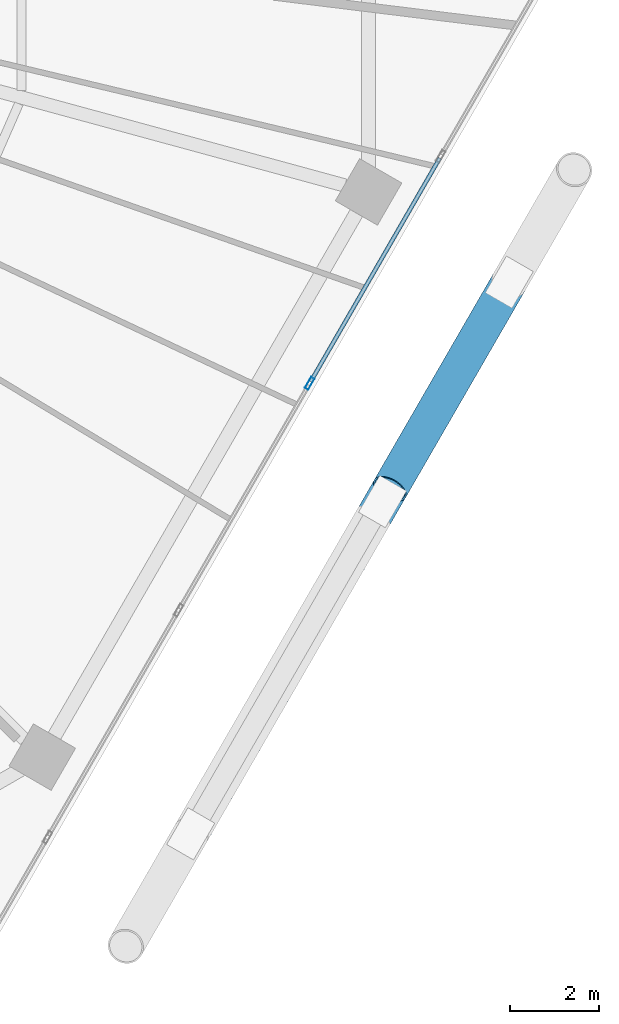
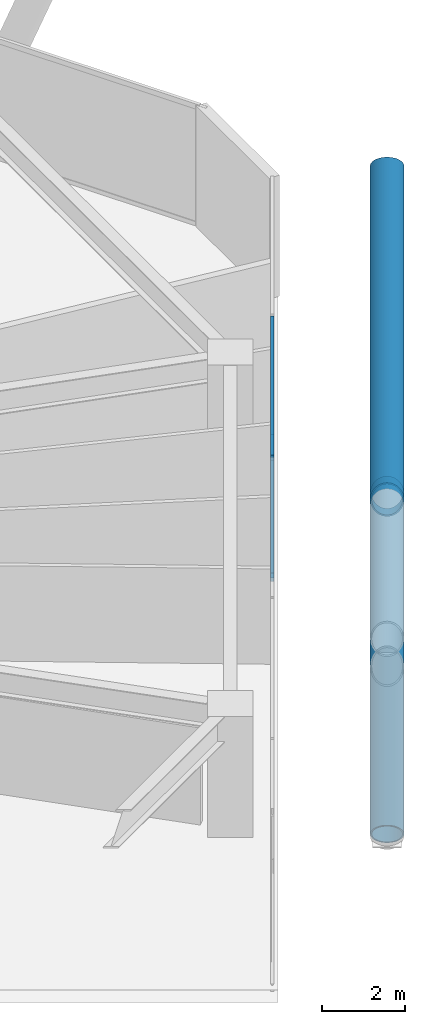
# One storey, part 11 of 35: 5 members, 1 element without a shape of its own.
"""IFC4 building model written with IfcOpenShell, lengths in metres."""

from ifc_helpers import new_model, si_unit, direction, frame, origin, origin_2d, place, context, subcontext, project, spatial, hollow_rectangle, hollow_circle, extrude, material, material_profile, profile_set, type_object, element, aggregate, save


model = new_model("IFC4")

# Units and contexts
model_context = context("Model", 3, precision=1e-05, world=origin(), true_north=direction((0.0, 1.0)))
body_context = subcontext(model_context, "Body", "Model", "MODEL_VIEW")
ifc_project = project(units=[si_unit("LENGTHUNIT", "METRE"), si_unit("AREAUNIT", "SQUARE_METRE"), si_unit("VOLUMEUNIT", "CUBIC_METRE"), si_unit("PLANEANGLEUNIT", "RADIAN"), si_unit("MASSUNIT", "GRAM", prefix="KILO")], contexts=[model_context])

# Site, building, storey
site_placement = place(None, origin())
site = spatial("IfcSite", under=ifc_project, at=site_placement, CompositionType="ELEMENT")
building_placement = place(site_placement, origin())
building = spatial("IfcBuilding", under=site, at=building_placement, Name="Zuhravey Tower", CompositionType="ELEMENT")
storey_placement = place(building_placement, frame((0.0, 0.0, 115.199951171875)))
storey = spatial("IfcBuildingStorey", under=building, at=storey_placement, Name="L28", CompositionType="ELEMENT", Elevation=115.199951171875)

# Curtain wall, members
ifc_material_1 = material(Name="Thermally broken anodised aluminium", Category="aluminium")
curtain_wall_type = type_object("IfcCurtainWallType", Name="Zone 1-2 Residential Curtain Wall CW3", PredefinedType="NOTDEFINED", material=ifc_material_1)
curtain_wall_placement = place(storey_placement, origin())
curtain_wall = element("IfcCurtainWall", 1, at=curtain_wall_placement, inside=storey, type_object=curtain_wall_type, Name="L28 CW3 CW-L28-F6-1", PredefinedType="NOTDEFINED")
ifc_material_2 = material(Name="Anodised aluminium", Category="aluminium")
ifc_material_profile_1 = material_profile(ifc_material_2, hollow_rectangle(XDim=0.090087890625, YDim=0.284912109375, WallThickness=0.0048828125, at=origin_2d()), Name="ALU-RHS-90x285x5")
ifc_profile_set_1 = profile_set([ifc_material_profile_1], Name="Anodised aluminium")
member_type_1 = type_object("IfcMemberType", Name="Curtain-Wall Mullion 90x180", PredefinedType="MULLION", material=ifc_profile_set_1)
member_1_placement = place(storey_placement, frame((62.55859375, 20.083984375, 0.0), z_axis=(0.0, 0.0, 1.0), x_axis=(0.86602552265, -0.499999794119, 0.0)))
member_1 = element("IfcMember", 2, at=member_1_placement, type_object=member_type_1, Name="CW3 mullion 3", PredefinedType="MULLION", context=body_context, shape_type="SweptSolid", body=[
    extrude(hollow_rectangle(XDim=0.090087890625, YDim=0.284912109375, WallThickness=0.0048828125, at=origin_2d()), origin(), (0.0, 0.0, 1.0), 3.550048828125),
])
ifc_material_profile_2 = material_profile(ifc_material_2, hollow_rectangle(XDim=0.090087890625, YDim=0.14990234375, WallThickness=0.0048828125, at=origin_2d()), Name="ALU-RHS-90x150x5")
ifc_profile_set_2 = profile_set([ifc_material_profile_2], Name="Anodised aluminium")
member_type_2 = type_object("IfcMemberType", Name="Curtain-Wall Transom 90x150", PredefinedType="USERDEFINED", material=ifc_profile_set_2)
member_2_placement = place(storey_placement, frame((65.49609375, 25.171875, 0.045166015625), z_axis=(-0.499981042766, -0.866036348472, 0.0), x_axis=(0.866036348472, -0.499981042766, 0.0)))
member_2 = element("IfcMember", 3, at=member_2_placement, type_object=member_type_2, Name="CW3 transom 2.1", ObjectType="TRANSOM", PredefinedType="USERDEFINED", context=body_context, shape_type="SweptSolid", body=[
    extrude(hollow_rectangle(XDim=0.090087890625, YDim=0.14990234375, WallThickness=0.0048828125, at=origin_2d()), origin(), (0.0, 0.0, 1.0), 5.829833984375),
])
member_3_placement = place(storey_placement, frame((65.49609375, 25.171875, 3.505126953125), z_axis=(-0.499981042766, -0.866036348472, 0.0), x_axis=(0.866036348472, -0.499981042766, 0.0)))
member_3 = element("IfcMember", 4, at=member_3_placement, type_object=member_type_2, Name="CW3 transom 2.2", ObjectType="TRANSOM", PredefinedType="USERDEFINED", context=body_context, shape_type="SweptSolid", body=[
    extrude(hollow_rectangle(XDim=0.090087890625, YDim=0.14990234375, WallThickness=0.0048828125, at=origin_2d()), origin(), (0.0, 0.0, 1.0), 5.829833984375),
])
aggregate(curtain_wall, [member_1, member_2, member_3])

# Members
ifc_material_3 = material(Name="Steel SM460", Category="steel")
ifc_material_profile_3 = material_profile(ifc_material_3, hollow_circle(Radius=0.406494140625, WallThickness=0.035888671875, at=origin_2d()), Name="CHS-812.8x36")
ifc_profile_set_3 = profile_set([ifc_material_profile_3], Name="Steel SM460")
member_type_3 = type_object("IfcMemberType", Name="Exoskeleton Zone 1 Diagrid CHS813x36", PredefinedType="BRACE", material=ifc_profile_set_3)
member_4_placement = place(storey_placement, frame((59.897216796875, 9.9541015625, -0.44189453125), z_axis=(0.457899571463, 0.793119897067, 0.401607782957), x_axis=(-0.866029382339, 0.499993108878, 0.0)))
element("IfcMember", 5, at=member_4_placement, inside=storey, type_object=member_type_3, Name="L28 Face 6 Diagrid Brace 2", PredefinedType="BRACE", context=body_context, shape_type="SweptSolid", body=[
    extrude(hollow_circle(Radius=0.406494140625, WallThickness=0.035888671875, at=origin_2d()), origin(), (0.0, 0.0, 1.0), 18.814208984375),
])
member_5_placement = place(storey_placement, frame((67.04296875, 22.331298828125, -0.43359375), z_axis=(-0.416513083029, -0.721451330682, 0.553195109453), x_axis=(0.866034259299, -0.499984661485, 0.0)))
element("IfcMember", 6, at=member_5_placement, inside=storey, type_object=member_type_3, Name="L28 Face 6 Split Diagrid Brace 3A", PredefinedType="BRACE", context=body_context, shape_type="SweptSolid", body=[
    extrude(hollow_circle(Radius=0.406494140625, WallThickness=0.035888671875, at=origin_2d()), origin(), (0.0, 0.0, 1.0), 6.417724609375),
])

save(model, "model.ifc")
